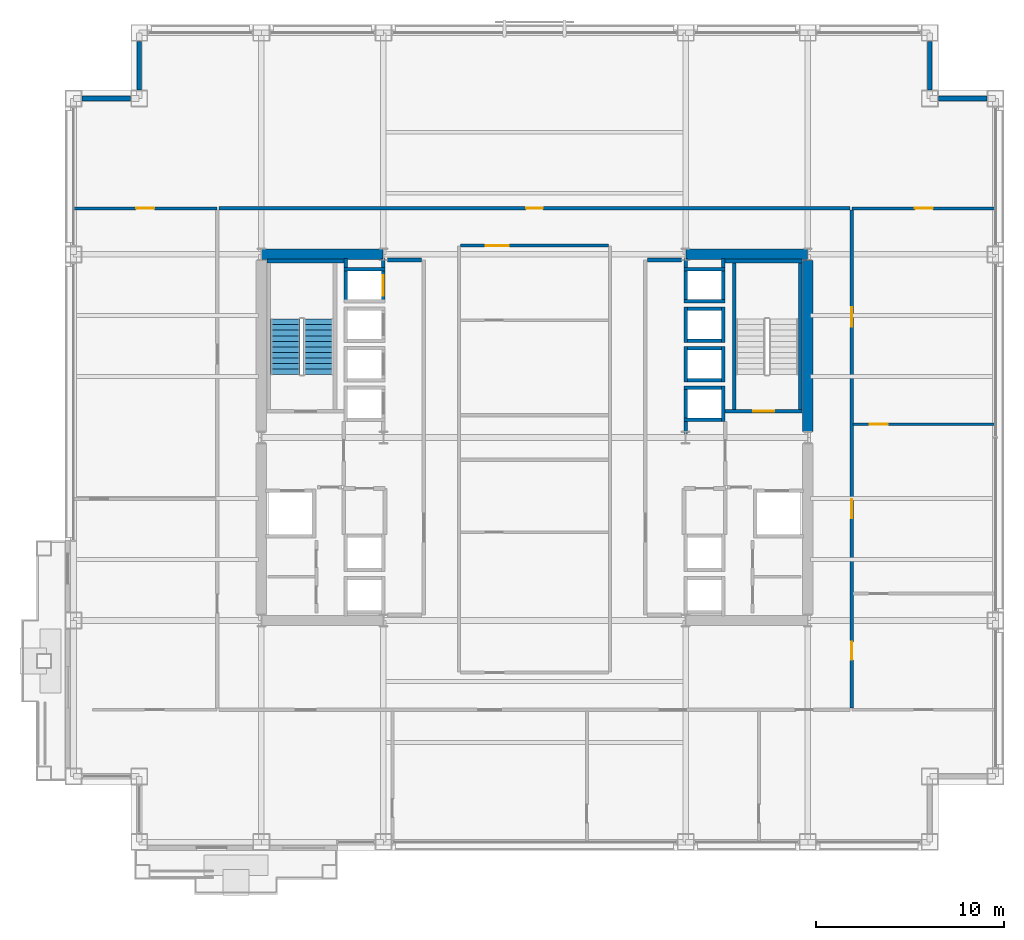
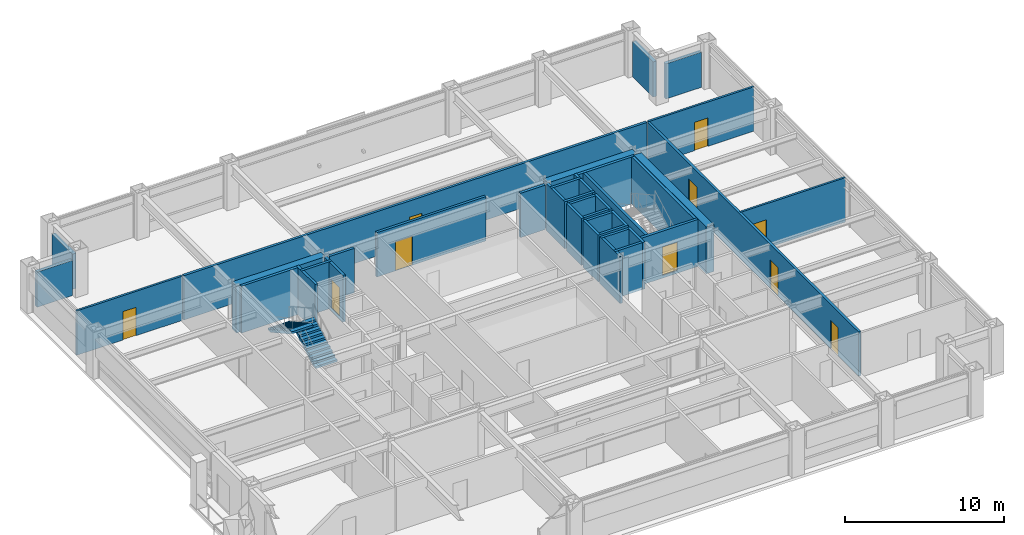
# One storey, part 25 of 29: 39 walls, 10 doors, 2 stair flights, 10 openings, 1 element without a shape of its own.
"""IFC4 building model written with IfcOpenShell, lengths in metres."""

from ifc_helpers import new_model, si_unit, direction, frame, frame_2d, origin, place, context, subcontext, project, spatial, polyline, rectangle, outline, extrude, material, layer, layer_set, type_object, element, fill, aggregate, save


model = new_model("IFC4")

# Units and contexts
model_context = context("Model", 3, precision=1e-05, world=origin(), true_north=direction((0.0, 1.0)))
body_context = subcontext(model_context, "Body", "Model", "MODEL_VIEW")
ifc_project = project(units=[si_unit("LENGTHUNIT", "METRE"), si_unit("AREAUNIT", "SQUARE_METRE"), si_unit("VOLUMEUNIT", "CUBIC_METRE"), si_unit("PLANEANGLEUNIT", "RADIAN"), si_unit("MASSUNIT", "GRAM", prefix="KILO")], contexts=[model_context])

# Site, building, storey
site_placement = place(None, origin())
site = spatial("IfcSite", under=ifc_project, at=site_placement, CompositionType="ELEMENT")
building_placement = place(site_placement, origin())
building = spatial("IfcBuilding", under=site, at=building_placement, Name="Brelmoor Portico Tower", CompositionType="ELEMENT")
storey_placement = place(building_placement, frame((0.0, 0.0, 63.60009765625)))
storey = spatial("IfcBuildingStorey", under=building, at=storey_placement, Name="L16", CompositionType="ELEMENT", Elevation=63.60009765625)

# Walls
ifc_material_1 = material(Name="Concrete C60", Category="concrete")
ifc_layer_1 = layer(ifc_material_1, 0.550048828125)
ifc_layer_set_1 = layer_set([ifc_layer_1], Name="Concrete C60")
wall_type_1 = type_object("IfcWallType", Name="WL-CORE-550", PredefinedType="SHEAR", material=ifc_layer_set_1)
for number, where, z_axis, x_axis, name in (
    (1, (-14.530029296875, 9.75, -0.2001953125), (0.0, 0.0, 1.0), (1.0, 0.0, 0.0), "L16 WC North Shear Wall"),
    (2, (8.070068359375, 9.75, -0.2001953125), (0.0, 0.0, 1.0), (1.0, 0.0, 0.0), "L16 EC North Shear Wall"),
):
    element("IfcWall", number, at=place(storey_placement, frame(where, z_axis=z_axis, x_axis=x_axis)), inside=storey, type_object=wall_type_1, Name=name, PredefinedType="SHEAR", context=body_context, shape_type="SweptSolid", body=[
        extrude(rectangle(XDim=6.4599609375, YDim=0.550048828125, at=frame_2d((3.22998046875, 0.0))), origin(), (0.0, 0.0, 1.0), 3.60009765625),
    ])
wall_1_placement = place(storey_placement, frame((14.550048828125, 0.324951171875, -0.2001953125), z_axis=(0.0, 0.0, 1.0), x_axis=(0.0, 1.0, 0.0)))
element("IfcWall", 3, at=wall_1_placement, inside=storey, type_object=wall_type_1, Name="L16 EC Outer North Shear Wall", PredefinedType="SHEAR", context=body_context, shape_type="SweptSolid", body=[
    extrude(rectangle(XDim=9.10009765625, YDim=0.550048828125, at=frame_2d((4.550048828125, 0.0))), origin(), (0.0, 0.0, 1.0), 3.60009765625),
])
ifc_material_2 = material(Name="Precast Concrete C40 Insulated Facade Wall", Category="concrete")
ifc_layer_2 = layer(ifc_material_2, 0.25)
ifc_layer_set_2 = layer_set([ifc_layer_2], Name="Precast Concrete C40 Insulated Facade Wall")
wall_type_2 = type_object("IfcWallType", Name="WL-EXT-250", PredefinedType="STANDARD", material=ifc_layer_set_2)
for number, where, z_axis, x_axis, name in (
    (4, (-24.090087890625, 18.050048828125, 0.0), (0.0, 0.0, 1.0), (1.0, 0.0, 0.0), "L16 Corner Notch Facade Wall NNWH1"),
    (5, (-21.050048828125, 18.510009765625, 0.0), (0.0, 0.0, 1.0), (0.0, 1.0, 0.0), "L16 Corner Notch Facade Wall NNWV1"),
    (6, (21.510009765625, 18.050048828125, 0.0), (0.0, 0.0, 1.0), (1.0, 0.0, 0.0), "L16 Corner Notch Facade Wall NNEH1"),
    (7, (21.050048828125, 18.510009765625, 0.0), (0.0, 0.0, 1.0), (0.0, 1.0, 0.0), "L16 Corner Notch Facade Wall NNEV1"),
):
    element("IfcWall", number, at=place(storey_placement, frame(where, z_axis=z_axis, x_axis=x_axis)), inside=storey, type_object=wall_type_2, Name=name, PredefinedType="STANDARD", context=body_context, shape_type="SweptSolid", body=[
        extrude(rectangle(XDim=2.580078125, YDim=0.25, at=frame_2d((1.2900390625, 0.0))), origin(), (0.0, 0.0, 1.0), 2.699951171875),
    ])

# Wall, opening, door
ifc_material_3 = material(Name="Wet-Area Moisture-Resistant Partition", Category="gypsum")
ifc_layer_3 = layer(ifc_material_3, 0.14990234375)
ifc_layer_set_3 = layer_set([ifc_layer_3], Name="Wet-Area Moisture-Resistant Partition")
wall_type_3 = type_object("IfcWallType", Name="WL-PART-150", PredefinedType="PARTITIONING", material=ifc_layer_set_3)
wall_2_placement = place(storey_placement, frame((-24.56005859375, 12.199951171875, 0.0), z_axis=(0.0, 0.0, 1.0), x_axis=(1.0, 0.0, 0.0)))
wall_2 = element("IfcWall", 8, at=wall_2_placement, inside=storey, type_object=wall_type_3, Name="L16 North Outer Closure WL", PredefinedType="PARTITIONING", context=body_context, shape_type="SweptSolid", body=[
    extrude(rectangle(XDim=7.66015625, YDim=0.14990234375, at=frame_2d((3.830078125, 0.0))), origin(), (0.0, 0.0, 1.0), 3.39990234375),
])
opening_1_placement = place(wall_2_placement, frame((3.35009765625, 0.0, 0.0)))
opening_1 = element("IfcOpeningElement", 9, at=opening_1_placement, cuts=wall_2, Name="Opening D-IN2", PredefinedType="OPENING", context=body_context, shape_type="SweptSolid", body=[
    extrude(rectangle(XDim=0.9599609375, YDim=2.179931640625, at=frame_2d((0.47998046875, 1.08984375))), frame((0.0, 0.0849609375, 0.0), z_axis=(0.0, -1.0, 0.0), x_axis=(1.0, 0.0, 0.0)), (0.0, 0.0, 1.0), 0.169921875),
])
ifc_material_4 = material(Name="Lacquered Timber Suite Door", Category="wood")
door_type_1 = type_object("IfcDoorType", Name="DR-INT-950", OperationType="NOTDEFINED", PredefinedType="DOOR", material=ifc_material_4)
door_1_placement = place(opening_1_placement, origin())
door_1 = element("IfcDoor", 10, at=door_1_placement, inside=storey, type_object=door_type_1, Name="D-0725 L16 WL North Corner Suite Door", OperationType="SINGLE_SWING_RIGHT", OverallHeight=2.179931640625, OverallWidth=0.9599609375, PredefinedType="DOOR", context=body_context, shape_type="SweptSolid", body=[
    extrude(rectangle(XDim=0.9599609375, YDim=2.179931640625, at=frame_2d((0.47998046875, 1.08984375))), frame((0.0, 0.02490234375, 0.0), z_axis=(0.0, -1.0, 0.0), x_axis=(1.0, 0.0, 0.0)), (0.0, 0.0, 1.0), 0.050048828125),
])
fill(opening_1, door_1)

wall_3_placement = place(storey_placement, frame((16.89990234375, 12.199951171875, 0.0), z_axis=(0.0, 0.0, 1.0), x_axis=(1.0, 0.0, 0.0)))
wall_3 = element("IfcWall", 11, at=wall_3_placement, inside=storey, type_object=wall_type_3, Name="L16 North Outer Closure ER", PredefinedType="PARTITIONING", context=body_context, shape_type="SweptSolid", body=[
    extrude(rectangle(XDim=7.66015625, YDim=0.14990234375, at=frame_2d((3.830078125, 0.0))), origin(), (0.0, 0.0, 1.0), 3.39990234375),
])
opening_2_placement = place(wall_3_placement, frame((3.35009765625, 0.0, 0.0)))
opening_2 = element("IfcOpeningElement", 12, at=opening_2_placement, cuts=wall_3, Name="Opening D-IN2", PredefinedType="OPENING", context=body_context, shape_type="SweptSolid", body=[
    extrude(rectangle(XDim=0.9599609375, YDim=2.179931640625, at=frame_2d((0.47998046875, 1.08984375))), frame((0.0, 0.0849609375, 0.0), z_axis=(0.0, -1.0, 0.0), x_axis=(1.0, 0.0, 0.0)), (0.0, 0.0, 1.0), 0.169921875),
])
door_2_placement = place(opening_2_placement, origin())
door_2 = element("IfcDoor", 13, at=door_2_placement, inside=storey, type_object=door_type_1, Name="D-0724 L16 ER North Corner Suite Door", OperationType="SINGLE_SWING_LEFT", OverallHeight=2.179931640625, OverallWidth=0.9599609375, PredefinedType="DOOR", context=body_context, shape_type="SweptSolid", body=[
    extrude(rectangle(XDim=0.9599609375, YDim=2.179931640625, at=frame_2d((0.47998046875, 1.08984375))), frame((0.0, 0.02490234375, 0.0), z_axis=(0.0, -1.0, 0.0), x_axis=(1.0, 0.0, 0.0)), (0.0, 0.0, 1.0), 0.050048828125),
])
fill(opening_2, door_2)

wall_4_placement = place(storey_placement, frame((16.9599609375, 0.707763671875, 0.0), z_axis=(0.0, 0.0, 1.0), x_axis=(1.0, 0.0, 0.0)))
wall_4 = element("IfcWall", 14, at=wall_4_placement, inside=storey, type_object=wall_type_3, Name="L16 E Wing Partition 2", PredefinedType="PARTITIONING", context=body_context, shape_type="SweptSolid", body=[
    extrude(rectangle(XDim=7.60009765625, YDim=0.14990234375, at=frame_2d((3.800048828125, 0.0))), origin(), (0.0, 0.0, 1.0), 3.39990234375),
])
opening_3_placement = place(wall_4_placement, frame((0.89990234375, 0.0, 0.0)))
opening_3 = element("IfcOpeningElement", 15, at=opening_3_placement, cuts=wall_4, Name="Opening D-IN2", PredefinedType="OPENING", context=body_context, shape_type="SweptSolid", body=[
    extrude(rectangle(XDim=0.9599609375, YDim=2.179931640625, at=frame_2d((0.47998046875, 1.08984375))), frame((0.0, 0.0849609375, 0.0), z_axis=(0.0, -1.0, 0.0), x_axis=(1.0, 0.0, 0.0)), (0.0, 0.0, 1.0), 0.169921875),
])
door_3_placement = place(opening_3_placement, origin())
door_3 = element("IfcDoor", 16, at=door_3_placement, inside=storey, type_object=door_type_1, Name="D-0743 L16 E Wing Suite Connecting Door 2", OperationType="SINGLE_SWING_RIGHT", OverallHeight=2.179931640625, OverallWidth=0.9599609375, PredefinedType="DOOR", context=body_context, shape_type="SweptSolid", body=[
    extrude(rectangle(XDim=0.9599609375, YDim=2.179931640625, at=frame_2d((0.47998046875, 1.08984375))), frame((0.0, 0.02490234375, 0.0), z_axis=(0.0, -1.0, 0.0), x_axis=(1.0, 0.0, 0.0)), (0.0, 0.0, 1.0), 0.050048828125),
])
fill(opening_3, door_3)

ifc_material_5 = material(Name="Acoustic Corridor Fire Partition", Category="gypsum")
ifc_layer_4 = layer(ifc_material_5, 0.179931640625)
ifc_layer_set_4 = layer_set([ifc_layer_4], Name="Acoustic Corridor Fire Partition")
wall_type_4 = type_object("IfcWallType", Name="WL-PART-180", PredefinedType="PARTITIONING", material=ifc_layer_set_4)
wall_5_placement = place(storey_placement, frame((-3.949951171875, 10.219970703125, 0.0), z_axis=(0.0, 0.0, 1.0), x_axis=(1.0, 0.0, 0.0)))
wall_5 = element("IfcWall", 17, at=wall_5_placement, inside=storey, type_object=wall_type_4, Name="L16 Central Meeting Corridor Wall", PredefinedType="PARTITIONING", context=body_context, shape_type="SweptSolid", body=[
    extrude(rectangle(XDim=7.89990234375, YDim=0.179931640625, at=frame_2d((3.949951171875, 0.0))), origin(), (0.0, 0.0, 1.0), 3.39990234375),
])
opening_4_placement = place(wall_5_placement, frame((1.35009765625, 0.0, 0.0)))
opening_4 = element("IfcOpeningElement", 18, at=opening_4_placement, cuts=wall_5, Name="Opening D-SU1", PredefinedType="OPENING", context=body_context, shape_type="SweptSolid", body=[
    extrude(rectangle(XDim=1.239990234375, YDim=2.239990234375, at=frame_2d((0.6201171875, 1.1201171875))), frame((0.0, 0.099853515625, 0.0), z_axis=(0.0, -1.0, 0.0), x_axis=(1.0, 0.0, 0.0)), (0.0, 0.0, 1.0), 0.199951171875),
])
ifc_material_6 = material(Name="Glazed Timber Executive Suite Door", Category="wood")
door_type_2 = type_object("IfcDoorType", Name="DR-SUITE-1200", OperationType="NOTDEFINED", PredefinedType="DOOR", material=ifc_material_6)
door_4_placement = place(opening_4_placement, origin())
door_4 = element("IfcDoor", 19, at=door_4_placement, inside=storey, type_object=door_type_2, Name="D-0707 L16 Client Meeting Room Door", OperationType="SINGLE_SWING_LEFT", OverallHeight=2.239990234375, OverallWidth=1.239990234375, PredefinedType="DOOR", context=body_context, shape_type="SweptSolid", body=[
    extrude(rectangle(XDim=1.239990234375, YDim=2.239990234375, at=frame_2d((0.6201171875, 1.1201171875))), frame((0.0, 0.02490234375, 0.0), z_axis=(0.0, -1.0, 0.0), x_axis=(1.0, 0.0, 0.0)), (0.0, 0.0, 1.0), 0.050048828125),
])
fill(opening_4, door_4)

wall_6_placement = place(storey_placement, frame((-16.800048828125, 12.199951171875, 0.0), z_axis=(0.0, 0.0, 1.0), x_axis=(1.0, 0.0, 0.0)))
wall_6 = element("IfcWall", 20, at=wall_6_placement, inside=storey, type_object=wall_type_4, Name="L16 North Corridor Partition", PredefinedType="PARTITIONING", context=body_context, shape_type="SweptSolid", body=[
    extrude(rectangle(XDim=33.60009765625, YDim=0.179931640625, at=frame_2d((16.800048828125, 0.0))), origin(), (0.0, 0.0, 1.0), 3.39990234375),
])
opening_5_placement = place(wall_6_placement, frame((16.35009765625, 0.0, 0.0)))
opening_5 = element("IfcOpeningElement", 21, at=opening_5_placement, cuts=wall_6, Name="Opening D-IN1", PredefinedType="OPENING", context=body_context, shape_type="SweptSolid", body=[
    extrude(rectangle(XDim=0.89990234375, YDim=2.14990234375, at=frame_2d((0.449951171875, 1.074951171875))), frame((0.0, 0.099853515625, 0.0), z_axis=(0.0, -1.0, 0.0), x_axis=(1.0, 0.0, 0.0)), (0.0, 0.0, 1.0), 0.199951171875),
])
door_type_3 = type_object("IfcDoorType", Name="DR-INT-900", OperationType="NOTDEFINED", PredefinedType="DOOR", material=ifc_material_4)
door_5_placement = place(opening_5_placement, origin())
door_5 = element("IfcDoor", 22, at=door_5_placement, inside=storey, type_object=door_type_3, Name="D-0723 L16 North Project Reception Concierge 1 Door", OperationType="SINGLE_SWING_LEFT", OverallHeight=2.14990234375, OverallWidth=0.89990234375, PredefinedType="DOOR", context=body_context, shape_type="SweptSolid", body=[
    extrude(rectangle(XDim=0.89990234375, YDim=2.14990234375, at=frame_2d((0.449951171875, 1.074951171875))), frame((0.0, 0.02490234375, 0.0), z_axis=(0.0, -1.0, 0.0), x_axis=(1.0, 0.0, 0.0)), (0.0, 0.0, 1.0), 0.050048828125),
])
fill(opening_5, door_5)

# Wall, openings, doors
wall_7_placement = place(storey_placement, frame((16.89990234375, -14.419921875, 0.0), z_axis=(0.0, 0.0, 1.0), x_axis=(0.0, 1.0, 0.0)))
wall_7 = element("IfcWall", 23, at=wall_7_placement, inside=storey, type_object=wall_type_4, Name="L16 E Wing Corridor Wall", PredefinedType="PARTITIONING", context=body_context, shape_type="SweptSolid", body=[
    extrude(rectangle(XDim=26.5400390625, YDim=0.179931640625, at=frame_2d((13.27001953125, 0.0))), origin(), (0.0, 0.0, 1.0), 3.39990234375),
])
opening_6_placement = place(wall_7_placement, frame((2.572021484375, 0.0, 0.0)))
opening_6 = element("IfcOpeningElement", 24, at=opening_6_placement, cuts=wall_7, Name="Opening D-IN2", PredefinedType="OPENING", context=body_context, shape_type="SweptSolid", body=[
    extrude(rectangle(XDim=0.9599609375, YDim=2.179931640625, at=frame_2d((0.47998046875, 1.08984375))), frame((0.0, 0.099853515625, 0.0), z_axis=(0.0, -1.0, 0.0), x_axis=(1.0, 0.0, 0.0)), (0.0, 0.0, 1.0), 0.199951171875),
])
opening_7_placement = place(wall_7_placement, frame((10.10595703125, 0.0, 0.0)))
opening_7 = element("IfcOpeningElement", 25, at=opening_7_placement, cuts=wall_7, Name="Opening D-OF1", PredefinedType="OPENING", context=body_context, shape_type="SweptSolid", body=[
    extrude(rectangle(XDim=1.02001953125, YDim=2.199951171875, at=frame_2d((0.510009765625, 1.10009765625))), frame((0.0, 0.099853515625, 0.0), z_axis=(0.0, -1.0, 0.0), x_axis=(1.0, 0.0, 0.0)), (0.0, 0.0, 1.0), 0.199951171875),
])
opening_8_placement = place(wall_7_placement, frame((20.303955078125, 0.0, 0.0)))
opening_8 = element("IfcOpeningElement", 26, at=opening_8_placement, cuts=wall_7, Name="Opening D-OF2", PredefinedType="OPENING", context=body_context, shape_type="SweptSolid", body=[
    extrude(rectangle(XDim=1.06005859375, YDim=2.199951171875, at=frame_2d((0.530029296875, 1.10009765625))), frame((0.0, 0.099853515625, 0.0), z_axis=(0.0, -1.0, 0.0), x_axis=(1.0, 0.0, 0.0)), (0.0, 0.0, 1.0), 0.199951171875),
])
door_6_placement = place(opening_6_placement, origin())
door_6 = element("IfcDoor", 27, at=door_6_placement, inside=storey, type_object=door_type_1, Name="D-0739 L16 E First-Aid Consultation Room 1 Door", OperationType="SINGLE_SWING_LEFT", OverallHeight=2.179931640625, OverallWidth=0.9599609375, PredefinedType="DOOR", context=body_context, shape_type="SweptSolid", body=[
    extrude(rectangle(XDim=0.9599609375, YDim=2.179931640625, at=frame_2d((0.47998046875, 1.08984375))), frame((0.0, 0.02490234375, 0.0), z_axis=(0.0, -1.0, 0.0), x_axis=(1.0, 0.0, 0.0)), (0.0, 0.0, 1.0), 0.050048828125),
])
fill(opening_6, door_6)
ifc_material_7 = material(Name="Hardwood Acoustic Veneer Door", Category="wood")
door_type_4 = type_object("IfcDoorType", Name="DR-OFFICE-1000", OperationType="NOTDEFINED", PredefinedType="DOOR", material=ifc_material_7)
door_7_placement = place(opening_7_placement, origin())
door_7 = element("IfcDoor", 28, at=door_7_placement, inside=storey, type_object=door_type_4, Name="D-0740 L16 E Technical Archive Store 2 Door", OperationType="SINGLE_SWING_RIGHT", OverallHeight=2.199951171875, OverallWidth=1.02001953125, PredefinedType="DOOR", context=body_context, shape_type="SweptSolid", body=[
    extrude(rectangle(XDim=1.02001953125, YDim=2.199951171875, at=frame_2d((0.510009765625, 1.10009765625))), frame((0.0, 0.02490234375, 0.0), z_axis=(0.0, -1.0, 0.0), x_axis=(1.0, 0.0, 0.0)), (0.0, 0.0, 1.0), 0.050048828125),
])
fill(opening_7, door_7)
door_type_5 = type_object("IfcDoorType", Name="DR-OFFICE-1050", OperationType="NOTDEFINED", PredefinedType="DOOR", material=ifc_material_7)
door_8_placement = place(opening_8_placement, origin())
door_8 = element("IfcDoor", 29, at=door_8_placement, inside=storey, type_object=door_type_5, Name="D-0741 L16 E Open-Plan Office 3 Door", OperationType="SINGLE_SWING_LEFT", OverallHeight=2.199951171875, OverallWidth=1.06005859375, PredefinedType="DOOR", context=body_context, shape_type="SweptSolid", body=[
    extrude(rectangle(XDim=1.06005859375, YDim=2.199951171875, at=frame_2d((0.530029296875, 1.10009765625))), frame((0.0, 0.02490234375, 0.0), z_axis=(0.0, -1.0, 0.0), x_axis=(1.0, 0.0, 0.0)), (0.0, 0.0, 1.0), 0.050048828125),
])
fill(opening_8, door_8)

# Walls
ifc_material_8 = material(Name="Double-Stud Gypsum Fire Partition", Category="gypsum")
ifc_layer_5 = layer(ifc_material_8, 0.199951171875)
ifc_layer_set_5 = layer_set([ifc_layer_5], Name="Double-Stud Gypsum Fire Partition")
wall_type_5 = type_object("IfcWallType", Name="WL-PART-200", PredefinedType="PARTITIONING", material=ifc_layer_set_5)
for number, where, z_axis, x_axis, name in (
    (30, (-6.02001953125, 9.449951171875, 0.0), (0.0, 0.0, 1.0), (-1.0, 0.0, 0.0), "L16 W Lift Lobby North End Wall"),
    (31, (6.02001953125, 9.449951171875, 0.0), (0.0, 0.0, 1.0), (1.0, 0.0, 0.0), "L16 E Lift Lobby North End Wall"),
):
    element("IfcWall", number, at=place(storey_placement, frame(where, z_axis=z_axis, x_axis=x_axis)), inside=storey, type_object=wall_type_5, Name=name, PredefinedType="PARTITIONING", context=body_context, shape_type="SweptSolid", body=[
        extrude(rectangle(XDim=1.800048828125, YDim=0.199951171875, at=frame_2d((0.89990234375, 0.0))), origin(), (0.0, 0.0, 1.0), 3.39990234375),
    ])

# Wall, opening, door
ifc_material_9 = material(Name="Precast Concrete C40", Category="concrete")
ifc_layer_6 = layer(ifc_material_9, 0.18994140625)
ifc_layer_set_6 = layer_set([ifc_layer_6], Name="Precast Concrete C40")
wall_type_6 = type_object("IfcWallType", Name="WL-SHAFT-180", PredefinedType="SOLIDWALL", material=ifc_layer_set_6)
wall_8_placement = place(storey_placement, frame((-8.044921875, 7.14990234375, -0.2001953125), z_axis=(0.0, 0.0, 1.0), x_axis=(0.0, 1.0, 0.0)))
wall_8 = element("IfcWall", 32, at=wall_8_placement, inside=storey, type_object=wall_type_6, Name="L16 Lift PL4 Hoistway Front Wall", PredefinedType="SOLIDWALL", context=body_context, shape_type="SweptSolid", body=[
    extrude(rectangle(XDim=2.3701171875, YDim=0.18994140625, at=frame_2d((1.18505859375, 0.0))), origin(), (0.0, 0.0, 1.0), 3.60009765625),
])
opening_9_placement = place(wall_8_placement, frame((0.39990234375, 0.0, 0.199951171875)))
opening_9 = element("IfcOpeningElement", 33, at=opening_9_placement, cuts=wall_8, Name="Opening LD-01", PredefinedType="OPENING", context=body_context, shape_type="SweptSolid", body=[
    extrude(rectangle(XDim=1.10009765625, YDim=2.199951171875, at=frame_2d((0.550048828125, 1.10009765625))), frame((0.0, 0.10498046875, 0.0), z_axis=(0.0, -1.0, 0.0), x_axis=(1.0, 0.0, 0.0)), (0.0, 0.0, 1.0), 0.2099609375),
])
ifc_material_10 = material(Name="Brushed Stainless Steel Sliding Lift Door", Category="steel")
door_type_6 = type_object("IfcDoorType", Name="DR-LIFT-1100", OperationType="NOTDEFINED", PredefinedType="DOOR", material=ifc_material_10)
door_9_placement = place(opening_9_placement, origin())
door_9 = element("IfcDoor", 34, at=door_9_placement, inside=storey, type_object=door_type_6, Name="D-0752 L16 Lift PL4 Sliding Landing Door", OperationType="SLIDING_TO_LEFT", OverallHeight=2.199951171875, OverallWidth=1.10009765625, PredefinedType="DOOR", context=body_context, shape_type="SweptSolid", body=[
    extrude(rectangle(XDim=1.10009765625, YDim=2.199951171875, at=frame_2d((0.550048828125, 1.10009765625))), frame((0.0, 0.02490234375, 0.0), z_axis=(0.0, -1.0, 0.0), x_axis=(1.0, 0.0, 0.0)), (0.0, 0.0, 1.0), 0.050048828125),
])
fill(opening_9, door_9)

# Walls
wall_9_placement = place(storey_placement, frame((-10.054931640625, 7.14990234375, -0.2001953125), z_axis=(0.0, 0.0, 1.0), x_axis=(0.0, 1.0, 0.0)))
element("IfcWall", 35, at=wall_9_placement, inside=storey, type_object=wall_type_6, Name="L16 Lift PL4 Hoistway Back Wall", PredefinedType="SOLIDWALL", context=body_context, shape_type="SweptSolid", body=[
    extrude(rectangle(XDim=2.3701171875, YDim=0.18994140625, at=frame_2d((1.18505859375, 0.0))), origin(), (0.0, 0.0, 1.0), 3.60009765625),
])
wall_10_placement = place(storey_placement, frame((-10.14990234375, 8.955078125, -0.2001953125), z_axis=(0.0, 0.0, 1.0), x_axis=(1.0, 0.0, 0.0)))
element("IfcWall", 36, at=wall_10_placement, inside=storey, type_object=wall_type_6, Name="L16 Lift PL4 Hoistway North Wall", PredefinedType="SOLIDWALL", context=body_context, shape_type="SweptSolid", body=[
    extrude(rectangle(XDim=2.199951171875, YDim=0.18994140625, at=frame_2d((1.10009765625, 0.0))), origin(), (0.0, 0.0, 1.0), 3.60009765625),
])
wall_11_placement = place(storey_placement, frame((8.044921875, 0.2099609375, -0.2001953125), z_axis=(0.0, 0.0, 1.0), x_axis=(0.0, 1.0, 0.0)))
element("IfcWall", 37, at=wall_11_placement, inside=storey, type_object=wall_type_6, Name="L16 Lift PM1 Hoistway Front Wall", PredefinedType="SOLIDWALL", context=body_context, shape_type="SweptSolid", body=[
    extrude(rectangle(XDim=2.5400390625, YDim=0.18994140625, at=frame_2d((1.27001953125, 0.0))), origin(), (0.0, 0.0, 1.0), 3.60009765625),
])
wall_12_placement = place(storey_placement, frame((10.054931640625, 0.85009765625, -0.2001953125), z_axis=(0.0, 0.0, 1.0), x_axis=(0.0, 1.0, 0.0)))
element("IfcWall", 38, at=wall_12_placement, inside=storey, type_object=wall_type_6, Name="L16 Lift PM1 Hoistway Back Wall", PredefinedType="SOLIDWALL", context=body_context, shape_type="SweptSolid", body=[
    extrude(rectangle(XDim=1.89990234375, YDim=0.18994140625, at=frame_2d((0.949951171875, 0.0))), origin(), (0.0, 0.0, 1.0), 3.60009765625),
])
for number, where, z_axis, x_axis, name in (
    (39, (7.949951171875, 2.655029296875, -0.2001953125), (0.0, 0.0, 1.0), (1.0, 0.0, 0.0), "L16 Lift PM1 Hoistway North Wall"),
    (40, (7.949951171875, 0.945068359375, -0.2001953125), (0.0, 0.0, 1.0), (1.0, 0.0, 0.0), "L16 Lift PM1 Hoistway South Wall"),
):
    element("IfcWall", number, at=place(storey_placement, frame(where, z_axis=z_axis, x_axis=x_axis)), inside=storey, type_object=wall_type_6, Name=name, PredefinedType="SOLIDWALL", context=body_context, shape_type="SweptSolid", body=[
        extrude(rectangle(XDim=2.199951171875, YDim=0.18994140625, at=frame_2d((1.10009765625, 0.0))), origin(), (0.0, 0.0, 1.0), 3.60009765625),
    ])
for number, where, z_axis, x_axis, name in (
    (41, (8.044921875, 2.949951171875, -0.2001953125), (0.0, 0.0, 1.0), (0.0, 1.0, 0.0), "L16 Lift PM2 Hoistway Front Wall"),
    (42, (10.054931640625, 2.949951171875, -0.2001953125), (0.0, 0.0, 1.0), (0.0, 1.0, 0.0), "L16 Lift PM2 Hoistway Back Wall"),
):
    element("IfcWall", number, at=place(storey_placement, frame(where, z_axis=z_axis, x_axis=x_axis)), inside=storey, type_object=wall_type_6, Name=name, PredefinedType="SOLIDWALL", context=body_context, shape_type="SweptSolid", body=[
        extrude(rectangle(XDim=1.900146484375, YDim=0.18994140625, at=frame_2d((0.9501953125, 0.0))), origin(), (0.0, 0.0, 1.0), 3.60009765625),
    ])
for number, where, z_axis, x_axis, name in (
    (43, (7.949951171875, 4.7548828125, -0.2001953125), (0.0, 0.0, 1.0), (1.0, 0.0, 0.0), "L16 Lift PM2 Hoistway North Wall"),
    (44, (7.949951171875, 3.044921875, -0.2001953125), (0.0, 0.0, 1.0), (1.0, 0.0, 0.0), "L16 Lift PM2 Hoistway South Wall"),
):
    element("IfcWall", number, at=place(storey_placement, frame(where, z_axis=z_axis, x_axis=x_axis)), inside=storey, type_object=wall_type_6, Name=name, PredefinedType="SOLIDWALL", context=body_context, shape_type="SweptSolid", body=[
        extrude(rectangle(XDim=2.199951171875, YDim=0.18994140625, at=frame_2d((1.10009765625, 0.0))), origin(), (0.0, 0.0, 1.0), 3.60009765625),
    ])
for number, where, z_axis, x_axis, name in (
    (45, (8.044921875, 5.050048828125, -0.2001953125), (0.0, 0.0, 1.0), (0.0, 1.0, 0.0), "L16 Lift PM3 Hoistway Front Wall"),
    (46, (10.054931640625, 5.050048828125, -0.2001953125), (0.0, 0.0, 1.0), (0.0, 1.0, 0.0), "L16 Lift PM3 Hoistway Back Wall"),
):
    element("IfcWall", number, at=place(storey_placement, frame(where, z_axis=z_axis, x_axis=x_axis)), inside=storey, type_object=wall_type_6, Name=name, PredefinedType="SOLIDWALL", context=body_context, shape_type="SweptSolid", body=[
        extrude(rectangle(XDim=1.89990234375, YDim=0.18994140625, at=frame_2d((0.949951171875, 0.0))), origin(), (0.0, 0.0, 1.0), 3.60009765625),
    ])
for number, where, z_axis, x_axis, name in (
    (47, (7.949951171875, 6.85498046875, -0.2001953125), (0.0, 0.0, 1.0), (1.0, 0.0, 0.0), "L16 Lift PM3 Hoistway North Wall"),
    (48, (7.949951171875, 5.14501953125, -0.2001953125), (0.0, 0.0, 1.0), (1.0, 0.0, 0.0), "L16 Lift PM3 Hoistway South Wall"),
):
    element("IfcWall", number, at=place(storey_placement, frame(where, z_axis=z_axis, x_axis=x_axis)), inside=storey, type_object=wall_type_6, Name=name, PredefinedType="SOLIDWALL", context=body_context, shape_type="SweptSolid", body=[
        extrude(rectangle(XDim=2.199951171875, YDim=0.18994140625, at=frame_2d((1.10009765625, 0.0))), origin(), (0.0, 0.0, 1.0), 3.60009765625),
    ])
for number, where, z_axis, x_axis, name in (
    (49, (8.044921875, 7.14990234375, -0.2001953125), (0.0, 0.0, 1.0), (0.0, 1.0, 0.0), "L16 Lift PM4 Hoistway Front Wall"),
    (50, (10.054931640625, 7.14990234375, -0.2001953125), (0.0, 0.0, 1.0), (0.0, 1.0, 0.0), "L16 Lift PM4 Hoistway Back Wall"),
):
    element("IfcWall", number, at=place(storey_placement, frame(where, z_axis=z_axis, x_axis=x_axis)), inside=storey, type_object=wall_type_6, Name=name, PredefinedType="SOLIDWALL", context=body_context, shape_type="SweptSolid", body=[
        extrude(rectangle(XDim=2.3701171875, YDim=0.18994140625, at=frame_2d((1.18505859375, 0.0))), origin(), (0.0, 0.0, 1.0), 3.60009765625),
    ])
for number, where, z_axis, x_axis, name in (
    (51, (7.949951171875, 8.955078125, -0.2001953125), (0.0, 0.0, 1.0), (1.0, 0.0, 0.0), "L16 Lift PM4 Hoistway North Wall"),
    (52, (7.949951171875, 7.2451171875, -0.2001953125), (0.0, 0.0, 1.0), (1.0, 0.0, 0.0), "L16 Lift PM4 Hoistway South Wall"),
):
    element("IfcWall", number, at=place(storey_placement, frame(where, z_axis=z_axis, x_axis=x_axis)), inside=storey, type_object=wall_type_6, Name=name, PredefinedType="SOLIDWALL", context=body_context, shape_type="SweptSolid", body=[
        extrude(rectangle(XDim=2.199951171875, YDim=0.18994140625, at=frame_2d((1.10009765625, 0.0))), origin(), (0.0, 0.0, 1.0), 3.60009765625),
    ])
ifc_material_11 = material(Name="Concrete C40", Category="concrete")
ifc_layer_7 = layer(ifc_material_11, 0.199951171875)
ifc_layer_set_7 = layer_set([ifc_layer_7], Name="Concrete C40")
wall_type_7 = type_object("IfcWallType", Name="WL-SHAFT-RC200", PredefinedType="SOLIDWALL", material=ifc_layer_set_7)
wall_13_placement = place(storey_placement, frame((14.14990234375, 1.5, -0.2001953125), z_axis=(0.0, 0.0, 1.0), x_axis=(0.0, 1.0, 0.0)))
element("IfcWall", 53, at=wall_13_placement, inside=storey, type_object=wall_type_7, Name="L16 ST-E Structural Stair Wall Outer", PredefinedType="SOLIDWALL", context=body_context, shape_type="SweptSolid", body=[
    extrude(rectangle(XDim=7.800048828125, YDim=0.199951171875, at=frame_2d((3.89990234375, 0.0))), origin(), (0.0, 0.0, 1.0), 3.60009765625),
])
wall_14_placement = place(storey_placement, frame((-14.25, 9.39990234375, -0.2001953125), z_axis=(0.0, 0.0, 1.0), x_axis=(1.0, 0.0, 0.0)))
element("IfcWall", 54, at=wall_14_placement, inside=storey, type_object=wall_type_7, Name="L16 ST-W Structural Stair Wall N", PredefinedType="SOLIDWALL", context=body_context, shape_type="SweptSolid", body=[
    extrude(rectangle(XDim=4.10009765625, YDim=0.199951171875, at=frame_2d((2.050048828125, 0.0))), origin(), (0.0, 0.0, 1.0), 3.60009765625),
])

# Wall, opening, door
wall_15_placement = place(storey_placement, frame((10.14990234375, 1.39990234375, -0.2001953125), z_axis=(0.0, 0.0, 1.0), x_axis=(1.0, 0.0, 0.0)))
wall_15 = element("IfcWall", 55, at=wall_15_placement, inside=storey, type_object=wall_type_7, Name="L16 ST-E Structural Stair Wall S", PredefinedType="SOLIDWALL", context=body_context, shape_type="SweptSolid", body=[
    extrude(rectangle(XDim=4.10009765625, YDim=0.199951171875, at=frame_2d((2.050048828125, 0.0))), origin(), (0.0, 0.0, 1.0), 3.60009765625),
])
opening_10_placement = place(wall_15_placement, frame((1.5, 0.0, 0.199951171875)))
opening_10 = element("IfcOpeningElement", 56, at=opening_10_placement, cuts=wall_15, Name="Opening D-ST1", PredefinedType="OPENING", context=body_context, shape_type="SweptSolid", body=[
    extrude(rectangle(XDim=1.1201171875, YDim=2.179931640625, at=frame_2d((0.56005859375, 1.08984375))), frame((0.0, 0.10986328125, 0.0), z_axis=(0.0, -1.0, 0.0), x_axis=(1.0, 0.0, 0.0)), (0.0, 0.0, 1.0), 0.219970703125),
])
ifc_material_12 = material(Name="Painted Galvanised Steel Fire Door", Category="steel")
door_type_7 = type_object("IfcDoorType", Name="DR-STAIR-1100", OperationType="NOTDEFINED", PredefinedType="DOOR", material=ifc_material_12)
door_10_placement = place(opening_10_placement, origin())
door_10 = element("IfcDoor", 57, at=door_10_placement, inside=storey, type_object=door_type_7, Name="D-0733 L16 ST-E Protected Exit Stair Door", OperationType="SINGLE_SWING_RIGHT", OverallHeight=2.179931640625, OverallWidth=1.1201171875, PredefinedType="DOOR", context=body_context, shape_type="SweptSolid", body=[
    extrude(rectangle(XDim=1.1201171875, YDim=2.179931640625, at=frame_2d((0.56005859375, 1.08984375))), frame((0.0, 0.02490234375, 0.0), z_axis=(0.0, -1.0, 0.0), x_axis=(1.0, 0.0, 0.0)), (0.0, 0.0, 1.0), 0.050048828125),
])
fill(opening_10, door_10)

# Walls
wall_16_placement = place(storey_placement, frame((10.14990234375, 9.39990234375, -0.2001953125), z_axis=(0.0, 0.0, 1.0), x_axis=(1.0, 0.0, 0.0)))
element("IfcWall", 58, at=wall_16_placement, inside=storey, type_object=wall_type_7, Name="L16 ST-E Structural Stair Wall N", PredefinedType="SOLIDWALL", context=body_context, shape_type="SweptSolid", body=[
    extrude(rectangle(XDim=4.10009765625, YDim=0.199951171875, at=frame_2d((2.050048828125, 0.0))), origin(), (0.0, 0.0, 1.0), 3.60009765625),
])
wall_17_placement = place(storey_placement, frame((10.6298828125, 1.5, -0.2001953125), z_axis=(0.0, 0.0, 1.0), x_axis=(0.0, 1.0, 0.0)))
element("IfcWall", 59, at=wall_17_placement, inside=storey, type_object=wall_type_7, Name="L16 ST-E Structural Stair Wall Inner", PredefinedType="SOLIDWALL", context=body_context, shape_type="SweptSolid", body=[
    extrude(rectangle(XDim=7.800048828125, YDim=0.199951171875, at=frame_2d((3.89990234375, 0.0))), origin(), (0.0, 0.0, 1.0), 3.60009765625),
])

# Stair, stair flights
stair_type = type_object("IfcStairType", Name="ST-CORE-W", PredefinedType="HALF_TURN_STAIR", material=ifc_material_11)
stair_placement = place(storey_placement, origin())
stair = element("IfcStair", 60, at=stair_placement, inside=storey, type_object=stair_type, Name="L16 Protected Core Exit Stair ST-W", PredefinedType="HALF_TURN_STAIR")
stair_flight_type = type_object("IfcStairFlightType", Name="SF-CORE-1850", PredefinedType="STRAIGHT", material=ifc_material_11)
stair_flight_1_placement = place(storey_placement, frame((-11.510009765625, 3.35009765625, 0.0), z_axis=(0.0, 0.0, 1.0), x_axis=(0.0, 1.0, 0.0)))
stair_flight_1 = element("IfcStairFlight", 61, at=stair_flight_1_placement, type_object=stair_flight_type, Name="ST-W flight 1", NumberOfRisers=11, NumberOfTreads=10, PredefinedType="STRAIGHT", RiserHeight=0.163636364, TreadLength=0.295, context=body_context, shape_type="SweptSolid", body=[
    extrude(outline(polyline([(0.0, 0.0), (0.0, 0.16357421875), (0.294921875, 0.16357421875), (0.294921875, 0.327392578125), (0.590087890625, 0.327392578125), (0.590087890625, 0.490966796875), (0.885009765625, 0.490966796875), (0.885009765625, 0.654541015625), (1.179931640625, 0.654541015625), (1.179931640625, 0.818115234375), (1.47509765625, 0.818115234375), (1.47509765625, 0.98193359375), (1.77001953125, 0.98193359375), (1.77001953125, 1.1455078125), (2.06494140625, 1.1455078125), (2.06494140625, 1.30908203125), (2.360107421875, 1.30908203125), (2.360107421875, 1.47265625), (2.655029296875, 1.47265625), (2.655029296875, 1.636474609375), (2.949951171875, 1.636474609375), (2.949951171875, 1.800048828125), (2.949951171875, 1.46484375), (0.30908203125, 0.0), (0.0, 0.0)])), frame((0.0, 0.780029296875, 0.0), z_axis=(0.0, -1.0, 0.0), x_axis=(1.0, 0.0, 0.0)), (0.0, 0.0, 1.0), 1.56005859375),
])
stair_flight_2_placement = place(storey_placement, frame((-13.27001953125, 6.300048828125, 1.7998046875), z_axis=(0.0, 0.0, 1.0), x_axis=(0.0, -1.0, 0.0)))
stair_flight_2 = element("IfcStairFlight", 62, at=stair_flight_2_placement, type_object=stair_flight_type, Name="ST-W flight 2", NumberOfRisers=11, NumberOfTreads=10, PredefinedType="STRAIGHT", RiserHeight=0.163636364, TreadLength=0.295, context=body_context, shape_type="SweptSolid", body=[
    extrude(outline(polyline([(0.0, 0.0), (0.0, 0.16357421875), (0.294921875, 0.16357421875), (0.294921875, 0.327392578125), (0.590087890625, 0.327392578125), (0.590087890625, 0.490966796875), (0.885009765625, 0.490966796875), (0.885009765625, 0.654541015625), (1.179931640625, 0.654541015625), (1.179931640625, 0.818115234375), (1.47509765625, 0.818115234375), (1.47509765625, 0.98193359375), (1.77001953125, 0.98193359375), (1.77001953125, 1.1455078125), (2.06494140625, 1.1455078125), (2.06494140625, 1.30908203125), (2.360107421875, 1.30908203125), (2.360107421875, 1.47265625), (2.655029296875, 1.47265625), (2.655029296875, 1.636474609375), (2.949951171875, 1.636474609375), (2.949951171875, 1.800048828125), (2.949951171875, 1.46484375), (0.30908203125, 0.0), (0.0, 0.0)])), frame((0.0, 0.780029296875, 0.0), z_axis=(0.0, -1.0, 0.0), x_axis=(1.0, 0.0, 0.0)), (0.0, 0.0, 1.0), 1.56005859375),
])
aggregate(stair, [stair_flight_1, stair_flight_2])

save(model, "model.ifc")
